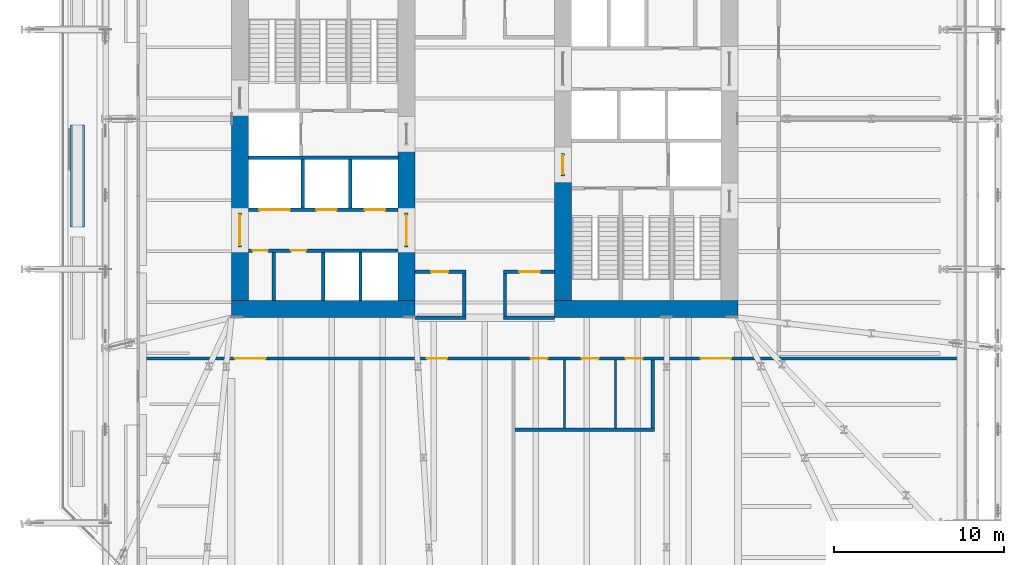
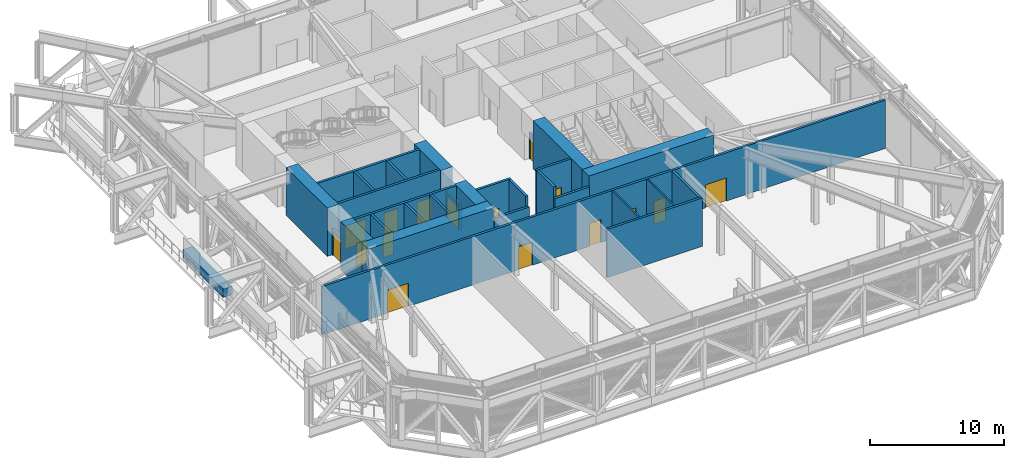
# One storey, part 17 of 29: 30 walls, 16 doors, 16 openings.
"""IFC4 building model written with IfcOpenShell, lengths in metres."""

from ifc_helpers import new_model, si_unit, direction, frame, frame_2d, origin, place, context, subcontext, project, spatial, rectangle, extrude, material, layer, layer_set, type_object, element, fill, save


model = new_model("IFC4")

# Units and contexts
model_context = context("Model", 3, precision=1e-05, world=origin(), true_north=direction((0.0, 1.0)))
body_context = subcontext(model_context, "Body", "Model", "MODEL_VIEW")
ifc_project = project(units=[si_unit("LENGTHUNIT", "METRE"), si_unit("AREAUNIT", "SQUARE_METRE"), si_unit("VOLUMEUNIT", "CUBIC_METRE"), si_unit("PLANEANGLEUNIT", "RADIAN"), si_unit("MASSUNIT", "GRAM", prefix="KILO")], contexts=[model_context])

# Site, building, storey
site_placement = place(None, origin())
site = spatial("IfcSite", under=ifc_project, at=site_placement, CompositionType="ELEMENT")
building_placement = place(site_placement, origin())
building = spatial("IfcBuilding", under=site, at=building_placement, Name="Millrace Tower", CompositionType="ELEMENT")
storey_placement = place(building_placement, frame((0.0, 0.0, 68.60009765625)))
storey = spatial("IfcBuildingStorey", under=building, at=storey_placement, Name="L15", CompositionType="ELEMENT", Elevation=68.60009765625)

# Walls
ifc_material_1 = material(Name="Concrete C80", Category="concrete")
ifc_layer_1 = layer(ifc_material_1, 1.0)
ifc_layer_set_1 = layer_set([ifc_layer_1], Name="Concrete C80")
wall_type_1 = type_object("IfcWallType", Name="Core wall 1000 Concrete C80", PredefinedType="SHEAR", material=ifc_layer_set_1)
wall_1_placement = place(storey_placement, frame((-14.89990234375, -9.39990234375, 0.0), z_axis=(0.0, 0.0, 1.0), x_axis=(1.0, 0.0, 0.0)))
element("IfcWall", 1, at=wall_1_placement, inside=storey, type_object=wall_type_1, Name="Core wall W L15", PredefinedType="SHEAR", context=body_context, shape_type="SweptSolid", body=[
    extrude(rectangle(XDim=10.7998046875, YDim=1.0, at=frame_2d((5.39990234375, 0.0))), origin(), (0.0, 0.0, 1.0), 4.39990234375),
])
wall_2_placement = place(storey_placement, frame((-14.39990234375, -8.89990234375, 0.0), z_axis=(0.0, 0.0, 1.0), x_axis=(0.0, 1.0, 0.0)))
element("IfcWall", 2, at=wall_2_placement, inside=storey, type_object=wall_type_1, Name="Core wall W L15", PredefinedType="SHEAR", context=body_context, shape_type="SweptSolid", body=[
    extrude(rectangle(XDim=3.14990234375, YDim=1.0, at=frame_2d((1.574951171875, 0.0))), origin(), (0.0, 0.0, 1.0), 4.39990234375),
])
wall_3_placement = place(storey_placement, frame((-14.39990234375, -3.75, 0.0), z_axis=(0.0, 0.0, 1.0), x_axis=(0.0, 1.0, 0.0)))
element("IfcWall", 3, at=wall_3_placement, inside=storey, type_object=wall_type_1, Name="Core wall W L15", PredefinedType="SHEAR", context=body_context, shape_type="SweptSolid", body=[
    extrude(rectangle(XDim=6.1298828125, YDim=1.0, at=frame_2d((3.06494140625, 0.0))), origin(), (0.0, 0.0, 1.0), 4.39990234375),
])
wall_4_placement = place(storey_placement, frame((-4.60009765625, -8.89990234375, 0.0), z_axis=(0.0, 0.0, 1.0), x_axis=(0.0, 1.0, 0.0)))
element("IfcWall", 4, at=wall_4_placement, inside=storey, type_object=wall_type_1, Name="Core wall W L15", PredefinedType="SHEAR", context=body_context, shape_type="SweptSolid", body=[
    extrude(rectangle(XDim=3.14990234375, YDim=1.0, at=frame_2d((1.574951171875, 0.0))), origin(), (0.0, 0.0, 1.0), 4.39990234375),
])
wall_5_placement = place(storey_placement, frame((-4.60009765625, -3.75, 0.0), z_axis=(0.0, 0.0, 1.0), x_axis=(0.0, 1.0, 0.0)))
element("IfcWall", 5, at=wall_5_placement, inside=storey, type_object=wall_type_1, Name="Core wall W L15", PredefinedType="SHEAR", context=body_context, shape_type="SweptSolid", body=[
    extrude(rectangle(XDim=4.0, YDim=1.0, at=frame_2d((2.0, 0.0))), origin(), (0.0, 0.0, 1.0), 4.39990234375),
])
wall_6_placement = place(storey_placement, frame((14.89990234375, -9.39990234375, 0.0), z_axis=(0.0, 0.0, 1.0), x_axis=(-1.0, 0.0, 0.0)))
element("IfcWall", 6, at=wall_6_placement, inside=storey, type_object=wall_type_1, Name="Core wall E L15", PredefinedType="SHEAR", context=body_context, shape_type="SweptSolid", body=[
    extrude(rectangle(XDim=10.7998046875, YDim=1.0, at=frame_2d((5.39990234375, 0.0))), origin(), (0.0, 0.0, 1.0), 4.39990234375),
])
wall_7_placement = place(storey_placement, frame((4.60009765625, -1.550048828125, 0.0), z_axis=(0.0, 0.0, 1.0), x_axis=(0.0, -1.0, 0.0)))
element("IfcWall", 7, at=wall_7_placement, inside=storey, type_object=wall_type_1, Name="Core wall E L15", PredefinedType="SHEAR", context=body_context, shape_type="SweptSolid", body=[
    extrude(rectangle(XDim=7.349853515625, YDim=1.0, at=frame_2d((3.6748046875, 0.0))), origin(), (0.0, 0.0, 1.0), 4.39990234375),
])
ifc_material_2 = material(Name="Masonry partition, fire-rated", Category="masonry")
ifc_layer_2 = layer(ifc_material_2, 0.199951171875)
ifc_layer_set_2 = layer_set([ifc_layer_2], Name="Masonry partition, fire-rated")
wall_type_2 = type_object("IfcWallType", Name="Corridor wall 200", PredefinedType="PARTITIONING", material=ifc_layer_set_2)
wall_8_placement = place(storey_placement, frame((1.800048828125, -16.5, 0.0), z_axis=(0.0, 0.0, 1.0), x_axis=(1.0, 0.0, 0.0)))
element("IfcWall", 8, at=wall_8_placement, inside=storey, type_object=wall_type_2, Name="Corridor wall L15", PredefinedType="PARTITIONING", context=body_context, shape_type="SweptSolid", body=[
    extrude(rectangle(XDim=8.199951171875, YDim=0.199951171875, at=frame_2d((4.10009765625, 0.0))), origin(), (0.0, 0.0, 1.0), 4.39990234375),
])

# Wall, openings, doors
wall_9_placement = place(storey_placement, frame((-20.330078125, -12.300048828125, 0.0), z_axis=(0.0, 0.0, 1.0), x_axis=(1.0, 0.0, 0.0)))
wall_9 = element("IfcWall", 9, at=wall_9_placement, inside=storey, type_object=wall_type_2, Name="Corridor wall L15", PredefinedType="PARTITIONING", context=body_context, shape_type="SweptSolid", body=[
    extrude(rectangle(XDim=48.56005859375, YDim=0.199951171875, at=frame_2d((24.280029296875, 0.0))), origin(), (0.0, 0.0, 1.0), 4.39990234375),
])
opening_1_placement = place(wall_9_placement, frame((5.639892578125, 0.0, 0.0)))
opening_1 = element("IfcOpeningElement", 10, at=opening_1_placement, cuts=wall_9, Name="Opening 15-P005", PredefinedType="OPENING", context=body_context, shape_type="SweptSolid", body=[
    extrude(rectangle(XDim=1.800048828125, YDim=2.10009765625, at=frame_2d((0.89990234375, 1.050048828125))), frame((0.0, 0.10986328125, 0.0), z_axis=(0.0, -1.0, 0.0), x_axis=(1.0, 0.0, 0.0)), (0.0, 0.0, 1.0), 0.219970703125),
])
opening_2_placement = place(wall_9_placement, frame((16.929931640625, 0.0, 0.0)))
opening_2 = element("IfcOpeningElement", 11, at=opening_2_placement, cuts=wall_9, Name="Opening 15-P006", PredefinedType="OPENING", context=body_context, shape_type="SweptSolid", body=[
    extrude(rectangle(XDim=1.199951171875, YDim=2.10009765625, at=frame_2d((0.60009765625, 1.050048828125))), frame((0.0, 0.10986328125, 0.0), z_axis=(0.0, -1.0, 0.0), x_axis=(1.0, 0.0, 0.0)), (0.0, 0.0, 1.0), 0.219970703125),
])
opening_3_placement = place(wall_9_placement, frame((33.034912109375, 0.0, 0.0)))
opening_3 = element("IfcOpeningElement", 12, at=opening_3_placement, cuts=wall_9, Name="Opening 15-P007", PredefinedType="OPENING", context=body_context, shape_type="SweptSolid", body=[
    extrude(rectangle(XDim=1.800048828125, YDim=2.10009765625, at=frame_2d((0.89990234375, 1.050048828125))), frame((0.0, 0.10986328125, 0.0), z_axis=(0.0, -1.0, 0.0), x_axis=(1.0, 0.0, 0.0)), (0.0, 0.0, 1.0), 0.219970703125),
])
opening_4_placement = place(wall_9_placement, frame((23.030029296875, 0.0, 0.0)))
opening_4 = element("IfcOpeningElement", 13, at=opening_4_placement, cuts=wall_9, Name="Opening 15-P013", PredefinedType="OPENING", context=body_context, shape_type="SweptSolid", body=[
    extrude(rectangle(XDim=1.0, YDim=2.10009765625, at=frame_2d((0.5, 1.050048828125))), frame((0.0, 0.10986328125, 0.0), z_axis=(0.0, -1.0, 0.0), x_axis=(1.0, 0.0, 0.0)), (0.0, 0.0, 1.0), 0.219970703125),
])
opening_5_placement = place(wall_9_placement, frame((26.030029296875, 0.0, 0.0)))
opening_5 = element("IfcOpeningElement", 14, at=opening_5_placement, cuts=wall_9, Name="Opening 15-P014", PredefinedType="OPENING", context=body_context, shape_type="SweptSolid", body=[
    extrude(rectangle(XDim=1.0, YDim=2.10009765625, at=frame_2d((0.5, 1.050048828125))), frame((0.0, 0.10986328125, 0.0), z_axis=(0.0, -1.0, 0.0), x_axis=(1.0, 0.0, 0.0)), (0.0, 0.0, 1.0), 0.219970703125),
])
opening_6_placement = place(wall_9_placement, frame((28.6298828125, 0.0, 0.0)))
opening_6 = element("IfcOpeningElement", 15, at=opening_6_placement, cuts=wall_9, Name="Opening 15-P015", PredefinedType="OPENING", context=body_context, shape_type="SweptSolid", body=[
    extrude(rectangle(XDim=1.0, YDim=2.10009765625, at=frame_2d((0.5, 1.050048828125))), frame((0.0, 0.10986328125, 0.0), z_axis=(0.0, -1.0, 0.0), x_axis=(1.0, 0.0, 0.0)), (0.0, 0.0, 1.0), 0.219970703125),
])
ifc_material_3 = material(Name="Steel door set, fire-rated", Category="steel")
door_type_1 = type_object("IfcDoorType", Name="Corridor door 1000 x 2100", OperationType="SINGLE_SWING_LEFT", PredefinedType="DOOR", material=ifc_material_3)
door_1_placement = place(opening_4_placement, frame((1.0, 0.0, 0.0), z_axis=(0.0, 0.0, 1.0), x_axis=(-1.0, 0.0, 0.0)))
door_1 = element("IfcDoor", 16, at=door_1_placement, inside=storey, type_object=door_type_1, Name="Door 15-P013", OperationType="SINGLE_SWING_RIGHT", OverallHeight=2.10009765625, OverallWidth=1.0, PredefinedType="DOOR", context=body_context, shape_type="SweptSolid", body=[
    extrude(rectangle(XDim=1.0, YDim=2.10009765625, at=frame_2d((0.5, 1.050048828125))), frame((0.0, 0.02490234375, 0.0), z_axis=(0.0, -1.0, 0.0), x_axis=(1.0, 0.0, 0.0)), (0.0, 0.0, 1.0), 0.050048828125),
])
fill(opening_4, door_1)
door_2_placement = place(opening_5_placement, frame((1.0, 0.0, 0.0), z_axis=(0.0, 0.0, 1.0), x_axis=(-1.0, 0.0, 0.0)))
door_2 = element("IfcDoor", 17, at=door_2_placement, inside=storey, type_object=door_type_1, Name="Door 15-P014", OperationType="SINGLE_SWING_LEFT", OverallHeight=2.10009765625, OverallWidth=1.0, PredefinedType="DOOR", context=body_context, shape_type="SweptSolid", body=[
    extrude(rectangle(XDim=1.0, YDim=2.10009765625, at=frame_2d((0.5, 1.050048828125))), frame((0.0, 0.02490234375, 0.0), z_axis=(0.0, -1.0, 0.0), x_axis=(1.0, 0.0, 0.0)), (0.0, 0.0, 1.0), 0.050048828125),
])
fill(opening_5, door_2)
door_3_placement = place(opening_6_placement, frame((1.0, 0.0, 0.0), z_axis=(0.0, 0.0, 1.0), x_axis=(-1.0, 0.0, 0.0)))
door_3 = element("IfcDoor", 18, at=door_3_placement, inside=storey, type_object=door_type_1, Name="Door 15-P015", OperationType="SINGLE_SWING_LEFT", OverallHeight=2.10009765625, OverallWidth=1.0, PredefinedType="DOOR", context=body_context, shape_type="SweptSolid", body=[
    extrude(rectangle(XDim=1.0, YDim=2.10009765625, at=frame_2d((0.5, 1.050048828125))), frame((0.0, 0.02490234375, 0.0), z_axis=(0.0, -1.0, 0.0), x_axis=(1.0, 0.0, 0.0)), (0.0, 0.0, 1.0), 0.050048828125),
])
fill(opening_6, door_3)
ifc_material_4 = material(Name="Steel door set, fire-rated", Category="steel")
door_type_2 = type_object("IfcDoorType", Name="Corridor door 1800 x 2100", OperationType="DOUBLE_DOOR_SINGLE_SWING", PredefinedType="DOOR", material=ifc_material_4)
door_4_placement = place(opening_1_placement, origin())
door_4 = element("IfcDoor", 19, at=door_4_placement, inside=storey, type_object=door_type_2, Name="Door 15-P005", OperationType="DOUBLE_DOOR_SINGLE_SWING", OverallHeight=2.10009765625, OverallWidth=1.800048828125, PredefinedType="DOOR", context=body_context, shape_type="SweptSolid", body=[
    extrude(rectangle(XDim=1.800048828125, YDim=2.10009765625, at=frame_2d((0.89990234375, 1.050048828125))), frame((0.0, 0.02490234375, 0.0), z_axis=(0.0, -1.0, 0.0), x_axis=(1.0, 0.0, 0.0)), (0.0, 0.0, 1.0), 0.050048828125),
])
fill(opening_1, door_4)
ifc_material_5 = material(Name="Steel door set, fire-rated", Category="steel")
door_type_3 = type_object("IfcDoorType", Name="Data hall door 1200 x 2100", OperationType="SINGLE_SWING_LEFT", PredefinedType="DOOR", material=ifc_material_5)
door_5_placement = place(opening_2_placement, frame((1.199951171875, 0.0, 0.0), z_axis=(0.0, 0.0, 1.0), x_axis=(-1.0, 0.0, 0.0)))
door_5 = element("IfcDoor", 20, at=door_5_placement, inside=storey, type_object=door_type_3, Name="Door 15-P006", OperationType="SINGLE_SWING_RIGHT", OverallHeight=2.10009765625, OverallWidth=1.199951171875, PredefinedType="DOOR", context=body_context, shape_type="SweptSolid", body=[
    extrude(rectangle(XDim=1.199951171875, YDim=2.10009765625, at=frame_2d((0.60009765625, 1.050048828125))), frame((0.0, 0.02490234375, 0.0), z_axis=(0.0, -1.0, 0.0), x_axis=(1.0, 0.0, 0.0)), (0.0, 0.0, 1.0), 0.050048828125),
])
fill(opening_2, door_5)
ifc_material_6 = material(Name="Steel door set, fire-rated", Category="steel")
door_type_4 = type_object("IfcDoorType", Name="Data hall door 1800 x 2100", OperationType="DOUBLE_DOOR_SINGLE_SWING", PredefinedType="DOOR", material=ifc_material_6)
door_6_placement = place(opening_3_placement, frame((1.800048828125, 0.0, 0.0), z_axis=(0.0, 0.0, 1.0), x_axis=(-1.0, 0.0, 0.0)))
door_6 = element("IfcDoor", 21, at=door_6_placement, inside=storey, type_object=door_type_4, Name="Door 15-P007", OperationType="DOUBLE_DOOR_SINGLE_SWING", OverallHeight=2.10009765625, OverallWidth=1.800048828125, PredefinedType="DOOR", context=body_context, shape_type="SweptSolid", body=[
    extrude(rectangle(XDim=1.800048828125, YDim=2.10009765625, at=frame_2d((0.89990234375, 1.050048828125))), frame((0.0, 0.02490234375, 0.0), z_axis=(0.0, -1.0, 0.0), x_axis=(1.0, 0.0, 0.0)), (0.0, 0.0, 1.0), 0.050048828125),
])
fill(opening_3, door_6)

# Walls
for number, where, z_axis, x_axis, name in (
    (22, (-4.10009765625, -9.89990234375, 0.0), (0.0, 0.0, 1.0), (1.0, 0.0, 0.0), "Corridor wall L15"),
    (23, (1.10009765625, -9.89990234375, 0.0), (0.0, 0.0, 1.0), (1.0, 0.0, 0.0), "Corridor wall L15"),
):
    element("IfcWall", number, at=place(storey_placement, frame(where, z_axis=z_axis, x_axis=x_axis)), inside=storey, type_object=wall_type_2, Name=name, PredefinedType="PARTITIONING", context=body_context, shape_type="SweptSolid", body=[
        extrude(rectangle(XDim=3.0, YDim=0.199951171875, at=frame_2d((1.5, 0.0))), origin(), (0.0, 0.0, 1.0), 3.462646484375),
    ])

# Wall, opening, door
wall_10_placement = place(storey_placement, frame((-4.10009765625, -7.199951171875, 0.0), z_axis=(0.0, 0.0, 1.0), x_axis=(1.0, 0.0, 0.0)))
wall_10 = element("IfcWall", 24, at=wall_10_placement, inside=storey, type_object=wall_type_2, Name="Corridor wall L15", PredefinedType="PARTITIONING", context=body_context, shape_type="SweptSolid", body=[
    extrude(rectangle(XDim=3.0, YDim=0.199951171875, at=frame_2d((1.5, 0.0))), origin(), (0.0, 0.0, 1.0), 4.39990234375),
])
opening_7_placement = place(wall_10_placement, frame((0.949951171875, 0.0, 0.0)))
opening_7 = element("IfcOpeningElement", 25, at=opening_7_placement, cuts=wall_10, Name="Opening 15-P003", PredefinedType="OPENING", context=body_context, shape_type="SweptSolid", body=[
    extrude(rectangle(XDim=1.0, YDim=2.10009765625, at=frame_2d((0.5, 1.050048828125))), frame((0.0, 0.10986328125, 0.0), z_axis=(0.0, -1.0, 0.0), x_axis=(1.0, 0.0, 0.0)), (0.0, 0.0, 1.0), 0.219970703125),
])
door_7_placement = place(opening_7_placement, frame((1.0, 0.0, 0.0), z_axis=(0.0, 0.0, 1.0), x_axis=(-1.0, 0.0, 0.0)))
door_7 = element("IfcDoor", 26, at=door_7_placement, inside=storey, type_object=door_type_1, Name="Door 15-P003", OperationType="SINGLE_SWING_RIGHT", OverallHeight=2.10009765625, OverallWidth=1.0, PredefinedType="DOOR", context=body_context, shape_type="SweptSolid", body=[
    extrude(rectangle(XDim=1.0, YDim=2.10009765625, at=frame_2d((0.5, 1.050048828125))), frame((0.0, 0.02490234375, 0.0), z_axis=(0.0, -1.0, 0.0), x_axis=(1.0, 0.0, 0.0)), (0.0, 0.0, 1.0), 0.050048828125),
])
fill(opening_7, door_7)

wall_11_placement = place(storey_placement, frame((1.10009765625, -7.199951171875, 0.0), z_axis=(0.0, 0.0, 1.0), x_axis=(1.0, 0.0, 0.0)))
wall_11 = element("IfcWall", 27, at=wall_11_placement, inside=storey, type_object=wall_type_2, Name="Corridor wall L15", PredefinedType="PARTITIONING", context=body_context, shape_type="SweptSolid", body=[
    extrude(rectangle(XDim=3.0, YDim=0.199951171875, at=frame_2d((1.5, 0.0))), origin(), (0.0, 0.0, 1.0), 4.39990234375),
])
opening_8_placement = place(wall_11_placement, frame((0.949951171875, 0.0, 0.0)))
opening_8 = element("IfcOpeningElement", 28, at=opening_8_placement, cuts=wall_11, Name="Opening 15-P004", PredefinedType="OPENING", context=body_context, shape_type="SweptSolid", body=[
    extrude(rectangle(XDim=1.199951171875, YDim=2.10009765625, at=frame_2d((0.60009765625, 1.050048828125))), frame((0.0, 0.10986328125, 0.0), z_axis=(0.0, -1.0, 0.0), x_axis=(1.0, 0.0, 0.0)), (0.0, 0.0, 1.0), 0.219970703125),
])
ifc_material_7 = material(Name="Steel door set, fire-rated", Category="steel")
door_type_5 = type_object("IfcDoorType", Name="Corridor door 1200 x 2100", OperationType="SINGLE_SWING_LEFT", PredefinedType="DOOR", material=ifc_material_7)
door_8_placement = place(opening_8_placement, frame((1.199951171875, 0.0, 0.0), z_axis=(0.0, 0.0, 1.0), x_axis=(-1.0, 0.0, 0.0)))
door_8 = element("IfcDoor", 29, at=door_8_placement, inside=storey, type_object=door_type_5, Name="Door 15-P004", OperationType="SINGLE_SWING_RIGHT", OverallHeight=2.10009765625, OverallWidth=1.199951171875, PredefinedType="DOOR", context=body_context, shape_type="SweptSolid", body=[
    extrude(rectangle(XDim=1.199951171875, YDim=2.10009765625, at=frame_2d((0.60009765625, 1.050048828125))), frame((0.0, 0.02490234375, 0.0), z_axis=(0.0, -1.0, 0.0), x_axis=(1.0, 0.0, 0.0)), (0.0, 0.0, 1.0), 0.050048828125),
])
fill(opening_8, door_8)

# Walls
wall_12_placement = place(storey_placement, frame((9.89990234375, -16.39990234375, 0.0), z_axis=(0.0, 0.0, 1.0), x_axis=(0.0, 1.0, 0.0)))
element("IfcWall", 30, at=wall_12_placement, inside=storey, type_object=wall_type_2, Name="Corridor wall L15", PredefinedType="PARTITIONING", context=body_context, shape_type="SweptSolid", body=[
    extrude(rectangle(XDim=4.0, YDim=0.199951171875, at=frame_2d((2.0, 0.0))), origin(), (0.0, 0.0, 1.0), 4.39990234375),
])
for number, where, z_axis, x_axis, name in (
    (31, (1.199951171875, -9.800048828125, 0.0), (0.0, 0.0, 1.0), (0.0, 1.0, 0.0), "Corridor wall L15"),
    (32, (-1.199951171875, -9.800048828125, 0.0), (0.0, 0.0, 1.0), (0.0, 1.0, 0.0), "Corridor wall L15"),
):
    element("IfcWall", number, at=place(storey_placement, frame(where, z_axis=z_axis, x_axis=x_axis)), inside=storey, type_object=wall_type_2, Name=name, PredefinedType="PARTITIONING", context=body_context, shape_type="SweptSolid", body=[
        extrude(rectangle(XDim=2.5, YDim=0.199951171875, at=frame_2d((1.25, 0.0))), origin(), (0.0, 0.0, 1.0), 4.39990234375),
    ])

# Wall, openings, doors
ifc_material_8 = material(Name="Masonry partition, fire-rated", Category="masonry")
ifc_layer_3 = layer(ifc_material_8, 0.199951171875)
ifc_layer_set_3 = layer_set([ifc_layer_3], Name="Masonry partition, fire-rated")
wall_type_3 = type_object("IfcWallType", Name="Lift shaft wall 200", PredefinedType="PARTITIONING", material=ifc_layer_set_3)
wall_13_placement = place(storey_placement, frame((-13.89990234375, -5.949951171875, 0.0), z_axis=(0.0, 0.0, 1.0), x_axis=(1.0, 0.0, 0.0)))
wall_13 = element("IfcWall", 33, at=wall_13_placement, inside=storey, type_object=wall_type_3, Name="Lift shaft wall W L15", PredefinedType="PARTITIONING", context=body_context, shape_type="SweptSolid", body=[
    extrude(rectangle(XDim=8.7998046875, YDim=0.199951171875, at=frame_2d((4.39990234375, 0.0))), origin(), (0.0, 0.0, 1.0), 4.39990234375),
])
opening_9_placement = place(wall_13_placement, frame((0.25244140625, 0.0, 0.0)))
opening_9 = element("IfcOpeningElement", 34, at=opening_9_placement, cuts=wall_13, Name="Opening 15-C005", PredefinedType="OPENING", context=body_context, shape_type="SweptSolid", body=[
    extrude(rectangle(XDim=0.89990234375, YDim=2.10009765625, at=frame_2d((0.449951171875, 1.050048828125))), frame((0.0, 0.10986328125, 0.0), z_axis=(0.0, -1.0, 0.0), x_axis=(1.0, 0.0, 0.0)), (0.0, 0.0, 1.0), 0.219970703125),
])
opening_10_placement = place(wall_13_placement, frame((2.50244140625, 0.0, 0.0)))
opening_10 = element("IfcOpeningElement", 35, at=opening_10_placement, cuts=wall_13, Name="Opening 15-C006", PredefinedType="OPENING", context=body_context, shape_type="SweptSolid", body=[
    extrude(rectangle(XDim=0.89990234375, YDim=2.10009765625, at=frame_2d((0.449951171875, 1.050048828125))), frame((0.0, 0.10986328125, 0.0), z_axis=(0.0, -1.0, 0.0), x_axis=(1.0, 0.0, 0.0)), (0.0, 0.0, 1.0), 0.219970703125),
])
ifc_material_9 = material(Name="Steel door, fire-rated", Category="steel")
door_type_6 = type_object("IfcDoorType", Name="Service room door 900 x 2100", OperationType="SINGLE_SWING_LEFT", PredefinedType="DOOR", material=ifc_material_9)
door_9_placement = place(opening_9_placement, frame((0.89990234375, 0.0, 0.0), z_axis=(0.0, 0.0, 1.0), x_axis=(-1.0, 0.0, 0.0)))
door_9 = element("IfcDoor", 36, at=door_9_placement, inside=storey, type_object=door_type_6, Name="Service room door 15-C005", OperationType="SINGLE_SWING_RIGHT", OverallHeight=2.10009765625, OverallWidth=0.89990234375, PredefinedType="DOOR", context=body_context, shape_type="SweptSolid", body=[
    extrude(rectangle(XDim=0.89990234375, YDim=2.10009765625, at=frame_2d((0.449951171875, 1.050048828125))), frame((0.0, 0.02490234375, 0.0), z_axis=(0.0, -1.0, 0.0), x_axis=(1.0, 0.0, 0.0)), (0.0, 0.0, 1.0), 0.050048828125),
])
fill(opening_9, door_9)
door_10_placement = place(opening_10_placement, frame((0.89990234375, 0.0, 0.0), z_axis=(0.0, 0.0, 1.0), x_axis=(-1.0, 0.0, 0.0)))
door_10 = element("IfcDoor", 37, at=door_10_placement, inside=storey, type_object=door_type_6, Name="Service room door 15-C006", OperationType="SINGLE_SWING_RIGHT", OverallHeight=2.10009765625, OverallWidth=0.89990234375, PredefinedType="DOOR", context=body_context, shape_type="SweptSolid", body=[
    extrude(rectangle(XDim=0.89990234375, YDim=2.10009765625, at=frame_2d((0.449951171875, 1.050048828125))), frame((0.0, 0.02490234375, 0.0), z_axis=(0.0, -1.0, 0.0), x_axis=(1.0, 0.0, 0.0)), (0.0, 0.0, 1.0), 0.050048828125),
])
fill(opening_10, door_10)

wall_14_placement = place(storey_placement, frame((-13.89990234375, -3.550048828125, 0.0), z_axis=(0.0, 0.0, 1.0), x_axis=(1.0, 0.0, 0.0)))
wall_14 = element("IfcWall", 38, at=wall_14_placement, inside=storey, type_object=wall_type_3, Name="Lift shaft wall W L15", PredefinedType="PARTITIONING", context=body_context, shape_type="SweptSolid", body=[
    extrude(rectangle(XDim=8.7998046875, YDim=0.199951171875, at=frame_2d((4.39990234375, 0.0))), origin(), (0.0, 0.0, 1.0), 4.39990234375),
])
opening_11_placement = place(wall_14_placement, frame((0.64990234375, 0.0, 0.0)))
opening_11 = element("IfcOpeningElement", 39, at=opening_11_placement, cuts=wall_14, Name="Opening 15-LD05", PredefinedType="OPENING", context=body_context, shape_type="SweptSolid", body=[
    extrude(rectangle(XDim=1.800048828125, YDim=2.10009765625, at=frame_2d((0.89990234375, 1.050048828125))), frame((0.0, 0.10986328125, 0.0), z_axis=(0.0, -1.0, 0.0), x_axis=(1.0, 0.0, 0.0)), (0.0, 0.0, 1.0), 0.219970703125),
])
opening_12_placement = place(wall_14_placement, frame((4.0, 0.0, 0.0)))
opening_12 = element("IfcOpeningElement", 40, at=opening_12_placement, cuts=wall_14, Name="Opening 15-LD06", PredefinedType="OPENING", context=body_context, shape_type="SweptSolid", body=[
    extrude(rectangle(XDim=1.199951171875, YDim=2.10009765625, at=frame_2d((0.60009765625, 1.050048828125))), frame((0.0, 0.10986328125, 0.0), z_axis=(0.0, -1.0, 0.0), x_axis=(1.0, 0.0, 0.0)), (0.0, 0.0, 1.0), 0.219970703125),
])
opening_13_placement = place(wall_14_placement, frame((6.85009765625, 0.0, 0.0)))
opening_13 = element("IfcOpeningElement", 41, at=opening_13_placement, cuts=wall_14, Name="Opening 15-LD07", PredefinedType="OPENING", context=body_context, shape_type="SweptSolid", body=[
    extrude(rectangle(XDim=1.199951171875, YDim=2.10009765625, at=frame_2d((0.60009765625, 1.050048828125))), frame((0.0, 0.10986328125, 0.0), z_axis=(0.0, -1.0, 0.0), x_axis=(1.0, 0.0, 0.0)), (0.0, 0.0, 1.0), 0.219970703125),
])
ifc_material_10 = material(Name="Stainless steel, fire-rated", Category="steel")
door_type_7 = type_object("IfcDoorType", Name="Lift landing door 1200 x 2100", OperationType="DOUBLE_DOOR_SLIDING", PredefinedType="DOOR", material=ifc_material_10)
door_11_placement = place(opening_12_placement, origin())
door_11 = element("IfcDoor", 42, at=door_11_placement, inside=storey, type_object=door_type_7, Name="Lift landing door LF6 L15", OperationType="DOUBLE_DOOR_SLIDING", OverallHeight=2.10009765625, OverallWidth=1.199951171875, PredefinedType="DOOR", context=body_context, shape_type="SweptSolid", body=[
    extrude(rectangle(XDim=1.199951171875, YDim=2.10009765625, at=frame_2d((0.60009765625, 1.050048828125))), frame((0.0, 0.02490234375, 0.0), z_axis=(0.0, -1.0, 0.0), x_axis=(1.0, 0.0, 0.0)), (0.0, 0.0, 1.0), 0.050048828125),
])
fill(opening_12, door_11)
door_12_placement = place(opening_13_placement, origin())
door_12 = element("IfcDoor", 43, at=door_12_placement, inside=storey, type_object=door_type_7, Name="Lift landing door LF7 L15", OperationType="DOUBLE_DOOR_SLIDING", OverallHeight=2.10009765625, OverallWidth=1.199951171875, PredefinedType="DOOR", context=body_context, shape_type="SweptSolid", body=[
    extrude(rectangle(XDim=1.199951171875, YDim=2.10009765625, at=frame_2d((0.60009765625, 1.050048828125))), frame((0.0, 0.02490234375, 0.0), z_axis=(0.0, -1.0, 0.0), x_axis=(1.0, 0.0, 0.0)), (0.0, 0.0, 1.0), 0.050048828125),
])
fill(opening_13, door_12)
ifc_material_11 = material(Name="Stainless steel, fire-rated", Category="steel")
door_type_8 = type_object("IfcDoorType", Name="Lift landing door 1800 x 2100", OperationType="DOUBLE_DOOR_SLIDING", PredefinedType="DOOR", material=ifc_material_11)
door_13_placement = place(opening_11_placement, origin())
door_13 = element("IfcDoor", 44, at=door_13_placement, inside=storey, type_object=door_type_8, Name="Lift landing door LF5 L15", OperationType="DOUBLE_DOOR_SLIDING", OverallHeight=2.10009765625, OverallWidth=1.800048828125, PredefinedType="DOOR", context=body_context, shape_type="SweptSolid", body=[
    extrude(rectangle(XDim=1.800048828125, YDim=2.10009765625, at=frame_2d((0.89990234375, 1.050048828125))), frame((0.0, 0.02490234375, 0.0), z_axis=(0.0, -1.0, 0.0), x_axis=(1.0, 0.0, 0.0)), (0.0, 0.0, 1.0), 0.050048828125),
])
fill(opening_11, door_13)

# Walls
wall_15_placement = place(storey_placement, frame((-13.89990234375, -0.5, 0.0), z_axis=(0.0, 0.0, 1.0), x_axis=(1.0, 0.0, 0.0)))
element("IfcWall", 45, at=wall_15_placement, inside=storey, type_object=wall_type_3, Name="Lift shaft wall W L15", PredefinedType="PARTITIONING", context=body_context, shape_type="SweptSolid", body=[
    extrude(rectangle(XDim=8.7998046875, YDim=0.199951171875, at=frame_2d((4.39990234375, 0.0))), origin(), (0.0, 0.0, 1.0), 4.39990234375),
])
for number, where, z_axis, x_axis, name in (
    (46, (-9.5, -8.89990234375, 0.0), (0.0, 0.0, 1.0), (0.0, 1.0, 0.0), "Lift shaft wall W L15"),
    (47, (-7.300048828125, -8.89990234375, 0.0), (0.0, 0.0, 1.0), (0.0, 1.0, 0.0), "Lift shaft wall W L15"),
    (48, (-10.699951171875, -3.449951171875, 0.0), (0.0, 0.0, 1.0), (0.0, 1.0, 0.0), "Lift shaft wall W L15"),
    (49, (-7.89990234375, -3.449951171875, 0.0), (0.0, 0.0, 1.0), (0.0, 1.0, 0.0), "Lift shaft wall W L15"),
):
    element("IfcWall", number, at=place(storey_placement, frame(where, z_axis=z_axis, x_axis=x_axis)), inside=storey, type_object=wall_type_3, Name=name, PredefinedType="PARTITIONING", context=body_context, shape_type="SweptSolid", body=[
        extrude(rectangle(XDim=2.849853515625, YDim=0.199951171875, at=frame_2d((1.4248046875, 0.0))), origin(), (0.0, 0.0, 1.0), 4.39990234375),
    ])

# Wall, opening, door
ifc_material_12 = material(Name="Masonry partition, fire-rated", Category="masonry")
ifc_layer_4 = layer(ifc_material_12, 0.199951171875)
ifc_layer_set_4 = layer_set([ifc_layer_4], Name="Masonry partition, fire-rated")
wall_type_4 = type_object("IfcWallType", Name="Lobby wall 200", PredefinedType="PARTITIONING", material=ifc_layer_set_4)
wall_16_placement = place(storey_placement, frame((-14.39990234375, -5.75, 0.0), z_axis=(0.0, 0.0, 1.0), x_axis=(0.0, 1.0, 0.0)))
wall_16 = element("IfcWall", 50, at=wall_16_placement, inside=storey, type_object=wall_type_4, Name="Lobby wall W L15", PredefinedType="PARTITIONING", context=body_context, shape_type="SweptSolid", body=[
    extrude(rectangle(XDim=2.0, YDim=0.199951171875, at=frame_2d((1.0, 0.0))), origin(), (0.0, 0.0, 1.0), 2.39990234375),
])
opening_14_placement = place(wall_16_placement, frame((0.10009765625, 0.0, 0.0)))
opening_14 = element("IfcOpeningElement", 51, at=opening_14_placement, cuts=wall_16, Name="Opening 15-C001", PredefinedType="OPENING", context=body_context, shape_type="SweptSolid", body=[
    extrude(rectangle(XDim=1.800048828125, YDim=2.10009765625, at=frame_2d((0.89990234375, 1.050048828125))), frame((0.0, 0.10986328125, 0.0), z_axis=(0.0, -1.0, 0.0), x_axis=(1.0, 0.0, 0.0)), (0.0, 0.0, 1.0), 0.219970703125),
])
ifc_material_13 = material(Name="Steel door, fire-rated", Category="steel")
door_type_9 = type_object("IfcDoorType", Name="Lobby door 1800 x 2100", OperationType="DOUBLE_DOOR_SINGLE_SWING", PredefinedType="DOOR", material=ifc_material_13)
door_14_placement = place(opening_14_placement, origin())
door_14 = element("IfcDoor", 52, at=door_14_placement, inside=storey, type_object=door_type_9, Name="Lobby door 15-C001", OperationType="DOUBLE_DOOR_SINGLE_SWING", OverallHeight=2.10009765625, OverallWidth=1.800048828125, PredefinedType="DOOR", context=body_context, shape_type="SweptSolid", body=[
    extrude(rectangle(XDim=1.800048828125, YDim=2.10009765625, at=frame_2d((0.89990234375, 1.050048828125))), frame((0.0, 0.02490234375, 0.0), z_axis=(0.0, -1.0, 0.0), x_axis=(1.0, 0.0, 0.0)), (0.0, 0.0, 1.0), 0.050048828125),
])
fill(opening_14, door_14)

wall_17_placement = place(storey_placement, frame((-4.60009765625, -5.75, 0.0), z_axis=(0.0, 0.0, 1.0), x_axis=(0.0, 1.0, 0.0)))
wall_17 = element("IfcWall", 53, at=wall_17_placement, inside=storey, type_object=wall_type_4, Name="Lobby wall W L15", PredefinedType="PARTITIONING", context=body_context, shape_type="SweptSolid", body=[
    extrude(rectangle(XDim=2.0, YDim=0.199951171875, at=frame_2d((1.0, 0.0))), origin(), (0.0, 0.0, 1.0), 2.39990234375),
])
opening_15_placement = place(wall_17_placement, frame((0.10009765625, 0.0, 0.0)))
opening_15 = element("IfcOpeningElement", 54, at=opening_15_placement, cuts=wall_17, Name="Opening 15-C003", PredefinedType="OPENING", context=body_context, shape_type="SweptSolid", body=[
    extrude(rectangle(XDim=1.800048828125, YDim=2.10009765625, at=frame_2d((0.89990234375, 1.050048828125))), frame((0.0, 0.10986328125, 0.0), z_axis=(0.0, -1.0, 0.0), x_axis=(1.0, 0.0, 0.0)), (0.0, 0.0, 1.0), 0.219970703125),
])
door_15_placement = place(opening_15_placement, origin())
door_15 = element("IfcDoor", 55, at=door_15_placement, inside=storey, type_object=door_type_9, Name="Lobby door 15-C003", OperationType="DOUBLE_DOOR_SINGLE_SWING", OverallHeight=2.10009765625, OverallWidth=1.800048828125, PredefinedType="DOOR", context=body_context, shape_type="SweptSolid", body=[
    extrude(rectangle(XDim=1.800048828125, YDim=2.10009765625, at=frame_2d((0.89990234375, 1.050048828125))), frame((0.0, 0.02490234375, 0.0), z_axis=(0.0, -1.0, 0.0), x_axis=(1.0, 0.0, 0.0)), (0.0, 0.0, 1.0), 0.050048828125),
])
fill(opening_15, door_15)

wall_18_placement = place(storey_placement, frame((4.60009765625, -0.25, 0.0), z_axis=(0.0, 0.0, 1.0), x_axis=(0.0, -1.0, 0.0)))
wall_18 = element("IfcWall", 56, at=wall_18_placement, inside=storey, type_object=wall_type_4, Name="Lobby wall E L15", PredefinedType="PARTITIONING", context=body_context, shape_type="SweptSolid", body=[
    extrude(rectangle(XDim=1.300048828125, YDim=0.199951171875, at=frame_2d((0.64990234375, 0.0))), origin(), (0.0, 0.0, 1.0), 2.39990234375),
])
opening_16_placement = place(wall_18_placement, frame((0.10009765625, 0.0, 0.0)))
opening_16 = element("IfcOpeningElement", 57, at=opening_16_placement, cuts=wall_18, Name="Opening 15-C012", PredefinedType="OPENING", context=body_context, shape_type="SweptSolid", body=[
    extrude(rectangle(XDim=1.10009765625, YDim=2.10009765625, at=frame_2d((0.550048828125, 1.050048828125))), frame((0.0, 0.10986328125, 0.0), z_axis=(0.0, -1.0, 0.0), x_axis=(1.0, 0.0, 0.0)), (0.0, 0.0, 1.0), 0.219970703125),
])
ifc_material_14 = material(Name="Steel door, fire-rated", Category="steel")
door_type_10 = type_object("IfcDoorType", Name="Lobby door 1100 x 2100", OperationType="SINGLE_SWING_LEFT", PredefinedType="DOOR", material=ifc_material_14)
door_16_placement = place(opening_16_placement, origin())
door_16 = element("IfcDoor", 58, at=door_16_placement, inside=storey, type_object=door_type_10, Name="Lobby door 15-C012", OperationType="SINGLE_SWING_RIGHT", OverallHeight=2.10009765625, OverallWidth=1.10009765625, PredefinedType="DOOR", context=body_context, shape_type="SweptSolid", body=[
    extrude(rectangle(XDim=1.10009765625, YDim=2.10009765625, at=frame_2d((0.550048828125, 1.050048828125))), frame((0.0, 0.02490234375, 0.0), z_axis=(0.0, -1.0, 0.0), x_axis=(1.0, 0.0, 0.0)), (0.0, 0.0, 1.0), 0.050048828125),
])
fill(opening_16, door_16)

# Walls
ifc_material_15 = material(Name="Concrete C40", Category="concrete")
ifc_layer_5 = layer(ifc_material_15, 0.800048828125)
ifc_layer_set_5 = layer_set([ifc_layer_5], Name="Concrete C40")
wall_type_5 = type_object("IfcWallType", Name="PLANTER raised bed 760 high x 800 thick", PredefinedType="STANDARD", material=ifc_layer_set_5)
wall_19_placement = place(storey_placement, frame((-23.949951171875, 1.449951171875, 0.039794921875), z_axis=(0.0, 0.0, 1.0), x_axis=(0.0, -1.0, 0.0)))
element("IfcWall", 59, at=wall_19_placement, inside=storey, type_object=wall_type_5, Name="PLANTER raised bed T-L14-1 1.3.2", PredefinedType="STANDARD", context=body_context, shape_type="SweptSolid", body=[
    extrude(rectangle(XDim=6.0, YDim=0.800048828125, at=frame_2d((3.0, 0.0))), origin(), (0.0, 0.0, 1.0), 0.760009765625),
])
ifc_material_16 = material(Name="Gypsum board partition")
ifc_layer_6 = layer(ifc_material_16, 0.1201171875)
ifc_layer_set_6 = layer_set([ifc_layer_6], Name="Gypsum board partition")
wall_type_6 = type_object("IfcWallType", Name="Partition wall 120", PredefinedType="PARTITIONING", material=ifc_layer_set_6)
for number, where, z_axis, x_axis, name in (
    (60, (7.699951171875, -16.39990234375, 0.0), (0.0, 0.0, 1.0), (0.0, 1.0, 0.0), "Partition wall L15"),
    (61, (4.699951171875, -16.39990234375, 0.0), (0.0, 0.0, 1.0), (0.0, 1.0, 0.0), "Partition wall L15"),
):
    element("IfcWall", number, at=place(storey_placement, frame(where, z_axis=z_axis, x_axis=x_axis)), inside=storey, type_object=wall_type_6, Name=name, PredefinedType="PARTITIONING", context=body_context, shape_type="SweptSolid", body=[
        extrude(rectangle(XDim=4.0, YDim=0.1201171875, at=frame_2d((2.0, 0.0))), origin(), (0.0, 0.0, 1.0), 4.39990234375),
    ])
ifc_material_17 = material(Name="Masonry partition, fire-rated", Category="masonry")
ifc_layer_7 = layer(ifc_material_17, 0.199951171875)
ifc_layer_set_7 = layer_set([ifc_layer_7], Name="Masonry partition, fire-rated")
wall_type_7 = type_object("IfcWallType", Name="Room partition 200", PredefinedType="PARTITIONING", material=ifc_layer_set_7)
wall_20_placement = place(storey_placement, frame((-12.39501953125, -8.89990234375, 0.0), z_axis=(0.0, 0.0, 1.0), x_axis=(0.0, 1.0, 0.0)))
element("IfcWall", 62, at=wall_20_placement, inside=storey, type_object=wall_type_7, Name="Room partition W L15", PredefinedType="PARTITIONING", context=body_context, shape_type="SweptSolid", body=[
    extrude(rectangle(XDim=2.849853515625, YDim=0.199951171875, at=frame_2d((1.4248046875, 0.0))), origin(), (0.0, 0.0, 1.0), 4.39990234375),
])

save(model, "model.ifc")
